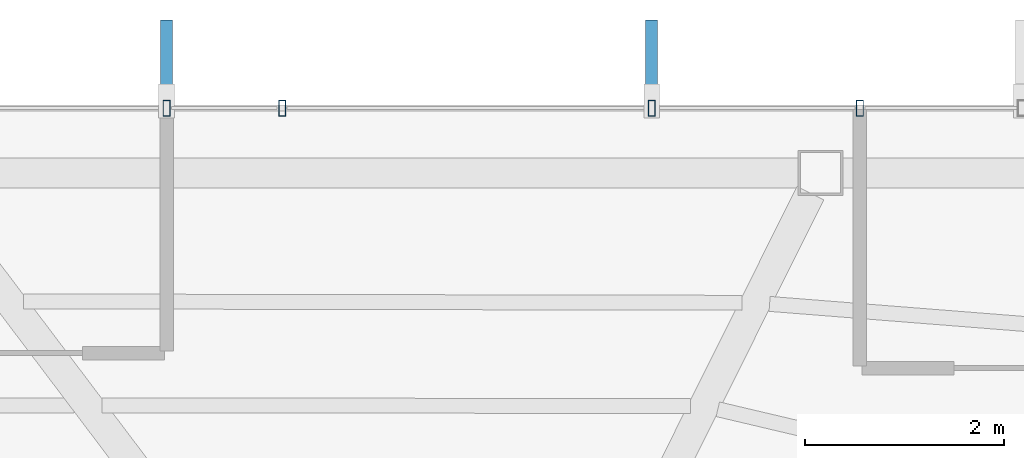
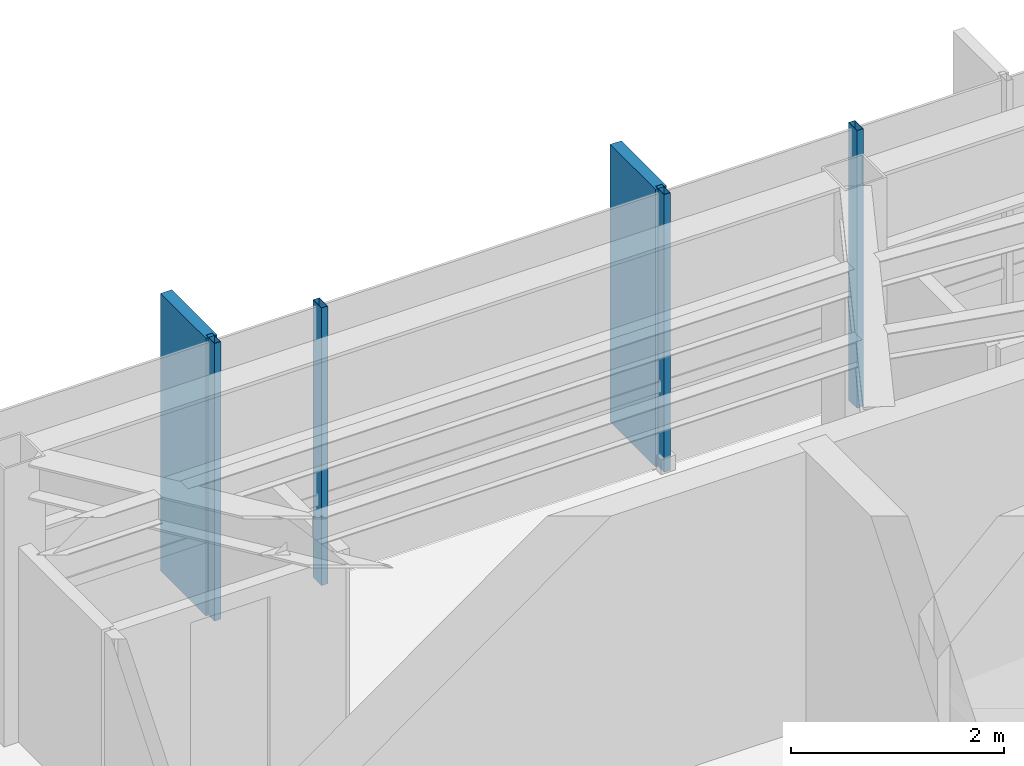
# One storey, part 14 of 23: 6 members, 1 element without a shape of its own.
"""IFC4 building model written with IfcOpenShell, lengths in metres."""

from ifc_helpers import new_model, si_unit, direction, frame, origin, origin_2d, place, context, subcontext, project, spatial, rectangle, hollow_rectangle, extrude, material, layer, layer_set, material_profile, profile_set, type_object, element, aggregate, save


model = new_model("IFC4")

# Units and contexts
model_context = context("Model", 3, precision=1e-05, world=origin(), true_north=direction((0.0, 1.0)))
body_context = subcontext(model_context, "Body", "Model", "MODEL_VIEW")
ifc_project = project(units=[si_unit("LENGTHUNIT", "METRE"), si_unit("AREAUNIT", "SQUARE_METRE"), si_unit("VOLUMEUNIT", "CUBIC_METRE"), si_unit("PLANEANGLEUNIT", "RADIAN"), si_unit("MASSUNIT", "GRAM", prefix="KILO")], contexts=[model_context])

# Site, building, storey
site_placement = place(None, origin())
site = spatial("IfcSite", under=ifc_project, at=site_placement, CompositionType="ELEMENT")
building_placement = place(site_placement, origin())
building = spatial("IfcBuilding", under=site, at=building_placement, Name="Zarrinselat Tower", CompositionType="ELEMENT")
storey_placement = place(building_placement, frame((0.0, 0.0, 282.199951171875)))
storey = spatial("IfcBuildingStorey", under=building, at=storey_placement, Name="L72", CompositionType="ELEMENT", Elevation=282.199951171875)

# Curtain wall, members
ifc_material_1 = material(Name="Extruded Aluminium Alloy EN AW-6063 T6", Category="aluminium")
ifc_layer = layer(ifc_material_1, 0.169921875)
ifc_layer_set = layer_set([ifc_layer], Name="Extruded Aluminium Alloy EN AW-6063 T6")
curtain_wall_type = type_object("IfcCurtainWallType", Name="CWS-RES", PredefinedType="NOTDEFINED", material=ifc_layer_set)
curtain_wall_placement = place(storey_placement, origin())
curtain_wall = element("IfcCurtainWall", 1, at=curtain_wall_placement, inside=storey, type_object=curtain_wall_type, Name="L72 Unitised Curtain Wall CW-L72-E01", PredefinedType="NOTDEFINED")
ifc_material_2 = material(Name="Extruded Aluminium Alloy EN AW-6063 T6", Category="aluminium")
ifc_material_profile_1 = material_profile(ifc_material_2, hollow_rectangle(XDim=0.070068359375, YDim=0.159912109375, WallThickness=0.00390625, at=origin_2d()), Name="RHS 160x70x4")
ifc_profile_set_1 = profile_set([ifc_material_profile_1], Name="Extruded Aluminium Alloy EN AW-6063 T6")
member_type_1 = type_object("IfcMemberType", Name="MEM-CW-MUL2", PredefinedType="MULLION", material=ifc_profile_set_1)
member_1_placement = place(storey_placement, frame((47.91259765625, 47.63330078125, 0.0), z_axis=(0.0, 0.0, 1.0), x_axis=(-1.0, 0.0, 0.0)))
member_1 = element("IfcMember", 2, at=member_1_placement, type_object=member_type_1, Name="CW-L72-E01 Mullion 4", PredefinedType="MULLION", context=body_context, shape_type="SweptSolid", body=[
    extrude(hollow_rectangle(XDim=0.070068359375, YDim=0.159912109375, WallThickness=0.00390625, at=origin_2d()), origin(), (0.0, 0.0, 1.0), 3.179931640625),
])
member_2_placement = place(storey_placement, frame((45.82177734375, 47.63330078125, 0.0), z_axis=(0.0, 0.0, 1.0), x_axis=(-1.0, 0.0, 0.0)))
member_2 = element("IfcMember", 3, at=member_2_placement, type_object=member_type_1, Name="CW-L72-E01 Mullion 5", PredefinedType="MULLION", context=body_context, shape_type="SweptSolid", body=[
    extrude(hollow_rectangle(XDim=0.070068359375, YDim=0.159912109375, WallThickness=0.00390625, at=origin_2d()), origin(), (0.0, 0.0, 1.0), 3.179931640625),
])
member_3_placement = place(storey_placement, frame((42.1103515625, 47.63330078125, 0.0), z_axis=(0.0, 0.0, 1.0), x_axis=(-1.0, 0.0, 0.0)))
member_3 = element("IfcMember", 4, at=member_3_placement, type_object=member_type_1, Name="CW-L72-E01 Mullion 6", PredefinedType="MULLION", context=body_context, shape_type="SweptSolid", body=[
    extrude(hollow_rectangle(XDim=0.070068359375, YDim=0.159912109375, WallThickness=0.00390625, at=origin_2d()), origin(), (0.0, 0.0, 1.0), 3.179931640625),
])
member_4_placement = place(storey_placement, frame((40.949951171875, 47.63330078125, 0.0), z_axis=(0.0, 0.0, 1.0), x_axis=(-1.0, 0.0, 0.0)))
member_4 = element("IfcMember", 5, at=member_4_placement, type_object=member_type_1, Name="CW-L72-E01 Mullion 7", PredefinedType="MULLION", context=body_context, shape_type="SweptSolid", body=[
    extrude(hollow_rectangle(XDim=0.070068359375, YDim=0.159912109375, WallThickness=0.00390625, at=origin_2d()), origin(), (0.0, 0.0, 1.0), 3.179931640625),
])
ifc_material_3 = material(Name="Honed Cream Travertine Stone", Category="masonry")
ifc_material_profile_2 = material_profile(ifc_material_3, rectangle(XDim=0.1201171875, YDim=0.85009765625, at=origin_2d()), Name="FIN 850x120")
ifc_profile_set_2 = profile_set([ifc_material_profile_2], Name="Honed Cream Travertine Stone")
member_type_2 = type_object("IfcMemberType", Name="MEM-STONE-FIN", PredefinedType="USERDEFINED", material=ifc_profile_set_2)
member_5_placement = place(storey_placement, frame((45.82177734375, 48.09326171875, 0.0), z_axis=(0.0, 0.0, 1.0), x_axis=(1.0, 0.0, 0.0)))
member_5 = element("IfcMember", 6, at=member_5_placement, type_object=member_type_2, Name="L72 Stone Shading Fin CW-L72-E01-05", ObjectType="FIN", PredefinedType="USERDEFINED", context=body_context, shape_type="SweptSolid", body=[
    extrude(rectangle(XDim=0.1201171875, YDim=0.85009765625, at=origin_2d()), origin(), (0.0, 0.0, 1.0), 3.179931640625),
])
member_6_placement = place(storey_placement, frame((40.949951171875, 48.09326171875, 0.0), z_axis=(0.0, 0.0, 1.0), x_axis=(1.0, 0.0, 0.0)))
member_6 = element("IfcMember", 7, at=member_6_placement, type_object=member_type_2, Name="L72 Stone Shading Fin CW-L72-E01-07", ObjectType="FIN", PredefinedType="USERDEFINED", context=body_context, shape_type="SweptSolid", body=[
    extrude(rectangle(XDim=0.1201171875, YDim=0.85009765625, at=origin_2d()), origin(), (0.0, 0.0, 1.0), 3.179931640625),
])
aggregate(curtain_wall, [member_1, member_2, member_5, member_3, member_4, member_6])

save(model, "model.ifc")
